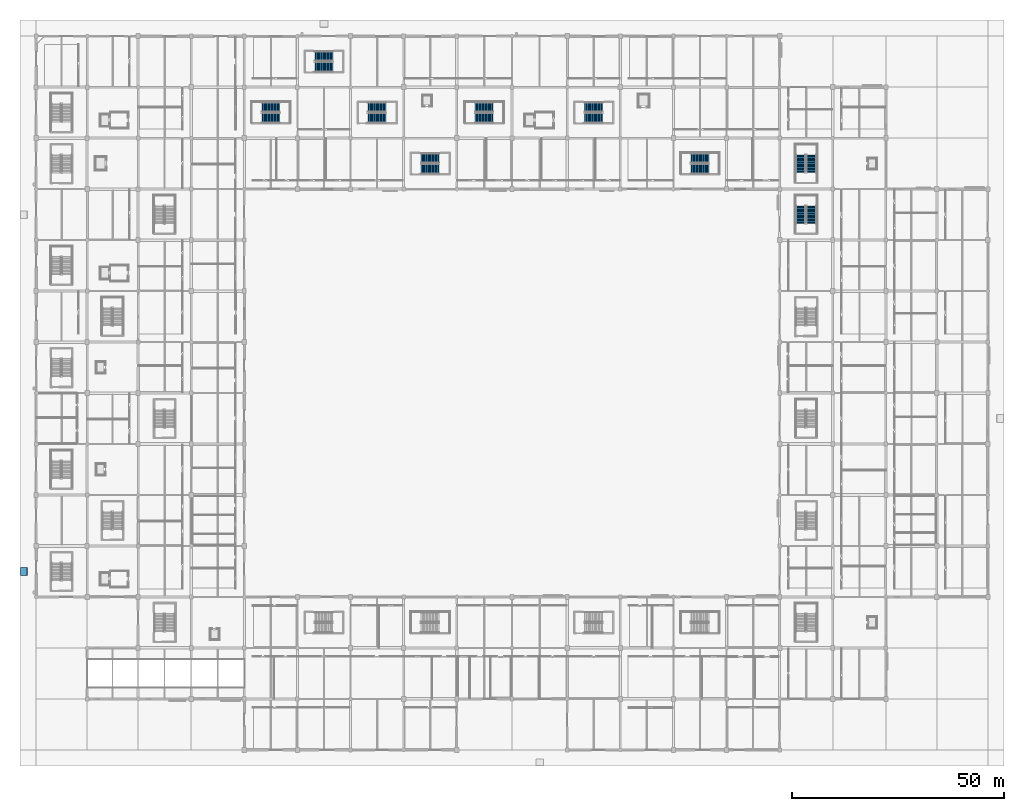
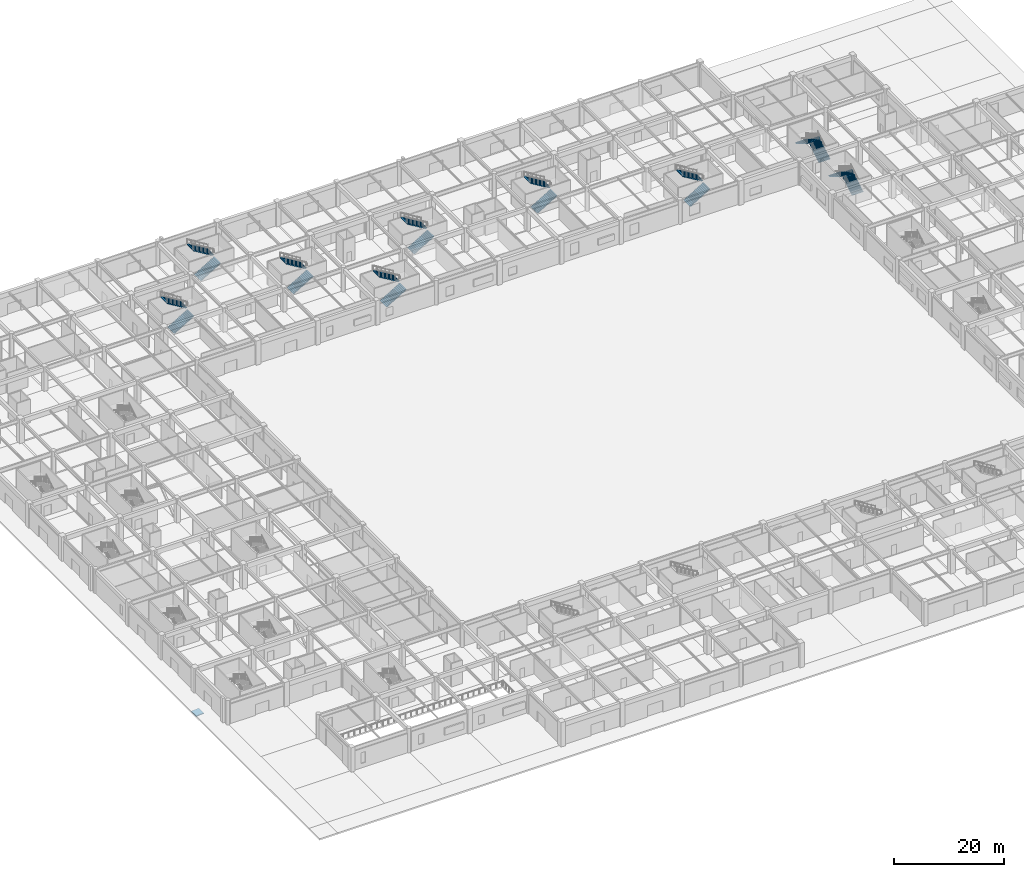
# One storey, part 37 of 69: 18 stair flights, 1 ramp flight, 10 elements without a shape of their own.
"""IFC4 building model written with IfcOpenShell, lengths in metres."""

from ifc_helpers import new_model, si_unit, direction, frame, origin, place, context, subcontext, project, spatial, polyline, outline, extrude, material, layer, layer_set, type_object, element, aggregate, save


model = new_model("IFC4")

# Units and contexts
model_context = context("Model", 3, precision=1e-05, world=origin(), true_north=direction((0.0, 1.0)))
body_context = subcontext(model_context, "Body", "Model", "MODEL_VIEW")
ifc_project = project(units=[si_unit("LENGTHUNIT", "METRE"), si_unit("AREAUNIT", "SQUARE_METRE"), si_unit("VOLUMEUNIT", "CUBIC_METRE"), si_unit("PLANEANGLEUNIT", "RADIAN"), si_unit("MASSUNIT", "GRAM", prefix="KILO")], contexts=[model_context])

# Site, building, storey
site_placement = place(None, origin())
site = spatial("IfcSite", under=ifc_project, at=site_placement, CompositionType="ELEMENT")
building_placement = place(site_placement, origin())
building = spatial("IfcBuilding", under=site, at=building_placement, Name="Kazenohara Klinker Stadium", CompositionType="ELEMENT")
storey_placement = place(building_placement, origin())
storey = spatial("IfcBuildingStorey", under=building, at=storey_placement, Name="L00", CompositionType="ELEMENT", Elevation=0.0)

# Stair, stair flights
ifc_material = material(Name="Concrete C40/50", Category="concrete")
stair_type_1 = type_object("IfcStairType", Name="STR-DL-2300", PredefinedType="HALF_TURN_STAIR", material=ifc_material)
stair_1_placement = place(storey_placement, origin())
stair_1 = element("IfcStair", 1, at=stair_1_placement, inside=storey, type_object=stair_type_1, Name="L00 Enclosed escape stair ST09", PredefinedType="HALF_TURN_STAIR")
stair_flight_type_1 = type_object("IfcStairFlightType", Name="FLT-DL-2300-5400", PredefinedType="STRAIGHT", material=ifc_material)
stair_flight_1_placement = place(storey_placement, frame((78.090087890625, 148.75, 0.0), z_axis=(0.0, 0.0, 1.0), x_axis=(1.0, 0.0, 0.0)))
stair_flight_1 = element("IfcStairFlight", 2, at=stair_flight_1_placement, type_object=stair_flight_type_1, Name="ST09 flight 1", NumberOfRisers=16, NumberOfTreads=15, PredefinedType="STRAIGHT", RiserHeight=0.16875, TreadLength=0.28, context=body_context, shape_type="SweptSolid", body=[
    extrude(outline(polyline([(0.0, 0.0), (0.0, 0.168701171875), (0.280029296875, 0.168701171875), (0.280029296875, 0.33740234375), (0.56005859375, 0.33740234375), (0.56005859375, 0.50634765625), (0.840087890625, 0.50634765625), (0.840087890625, 0.675048828125), (1.1201171875, 0.675048828125), (1.1201171875, 0.84375), (1.39990234375, 0.84375), (1.39990234375, 1.012451171875), (1.679931640625, 1.012451171875), (1.679931640625, 1.18115234375), (1.9599609375, 1.18115234375), (1.9599609375, 1.35009765625), (2.239990234375, 1.35009765625), (2.239990234375, 1.518798828125), (2.52001953125, 1.518798828125), (2.52001953125, 1.6875), (2.800048828125, 1.6875), (2.800048828125, 1.856201171875), (3.080078125, 1.856201171875), (3.080078125, 2.02490234375), (3.360107421875, 2.02490234375), (3.360107421875, 2.19384765625), (3.639892578125, 2.19384765625), (3.639892578125, 2.362548828125), (3.919921875, 2.362548828125), (3.919921875, 2.53125), (4.199951171875, 2.53125), (4.199951171875, 2.699951171875), (4.199951171875, 2.356201171875), (0.29052734375, 0.0), (0.0, 0.0)])), frame((0.0, 1.14990234375, 0.0), z_axis=(0.0, -1.0, 0.0), x_axis=(1.0, 0.0, 0.0)), (0.0, 0.0, 1.0), 2.300048828125),
])
stair_flight_2_placement = place(storey_placement, frame((82.2900390625, 151.25, 2.699951171875), z_axis=(0.0, 0.0, 1.0), x_axis=(-1.0, 0.0, 0.0)))
stair_flight_2 = element("IfcStairFlight", 3, at=stair_flight_2_placement, type_object=stair_flight_type_1, Name="ST09 flight 2", NumberOfRisers=16, NumberOfTreads=15, PredefinedType="STRAIGHT", RiserHeight=0.16875, TreadLength=0.28, context=body_context, shape_type="SweptSolid", body=[
    extrude(outline(polyline([(0.0, 0.0), (0.0, 0.168701171875), (0.280029296875, 0.168701171875), (0.280029296875, 0.33740234375), (0.56005859375, 0.33740234375), (0.56005859375, 0.50634765625), (0.840087890625, 0.50634765625), (0.840087890625, 0.675048828125), (1.1201171875, 0.675048828125), (1.1201171875, 0.84375), (1.39990234375, 0.84375), (1.39990234375, 1.012451171875), (1.679931640625, 1.012451171875), (1.679931640625, 1.18115234375), (1.9599609375, 1.18115234375), (1.9599609375, 1.35009765625), (2.239990234375, 1.35009765625), (2.239990234375, 1.518798828125), (2.52001953125, 1.518798828125), (2.52001953125, 1.6875), (2.800048828125, 1.6875), (2.800048828125, 1.856201171875), (3.080078125, 1.856201171875), (3.080078125, 2.02490234375), (3.360107421875, 2.02490234375), (3.360107421875, 2.19384765625), (3.639892578125, 2.19384765625), (3.639892578125, 2.362548828125), (3.919921875, 2.362548828125), (3.919921875, 2.53125), (4.199951171875, 2.53125), (4.199951171875, 2.699951171875), (4.199951171875, 2.356201171875), (0.29052734375, 0.0), (0.0, 0.0)])), frame((0.0, 1.14990234375, 0.0), z_axis=(0.0, -1.0, 0.0), x_axis=(1.0, 0.0, 0.0)), (0.0, 0.0, 1.0), 2.300048828125),
])
aggregate(stair_1, [stair_flight_1, stair_flight_2])

stair_type_2 = type_object("IfcStairType", Name="STR-DL-2310", PredefinedType="HALF_TURN_STAIR", material=ifc_material)
stair_2_placement = place(storey_placement, origin())
stair_2 = element("IfcStair", 4, at=stair_2_placement, inside=storey, type_object=stair_type_2, Name="L00 Enclosed escape stair ST10", PredefinedType="HALF_TURN_STAIR")
stair_flight_type_2 = type_object("IfcStairFlightType", Name="FLT-DL-2310-5400", PredefinedType="STRAIGHT", material=ifc_material)
stair_flight_3_placement = place(storey_placement, frame((103.35009765625, 148.7451171875, 0.0), z_axis=(0.0, 0.0, 1.0), x_axis=(1.0, 0.0, 0.0)))
stair_flight_3 = element("IfcStairFlight", 5, at=stair_flight_3_placement, type_object=stair_flight_type_2, Name="ST10 flight 1", NumberOfRisers=16, NumberOfTreads=15, PredefinedType="STRAIGHT", RiserHeight=0.16875, TreadLength=0.28, context=body_context, shape_type="SweptSolid", body=[
    extrude(outline(polyline([(0.0, 0.0), (0.0, 0.168701171875), (0.280029296875, 0.168701171875), (0.280029296875, 0.33740234375), (0.56005859375, 0.33740234375), (0.56005859375, 0.50634765625), (0.840087890625, 0.50634765625), (0.840087890625, 0.675048828125), (1.1201171875, 0.675048828125), (1.1201171875, 0.84375), (1.39990234375, 0.84375), (1.39990234375, 1.012451171875), (1.679931640625, 1.012451171875), (1.679931640625, 1.18115234375), (1.9599609375, 1.18115234375), (1.9599609375, 1.35009765625), (2.239990234375, 1.35009765625), (2.239990234375, 1.518798828125), (2.52001953125, 1.518798828125), (2.52001953125, 1.6875), (2.800048828125, 1.6875), (2.800048828125, 1.856201171875), (3.080078125, 1.856201171875), (3.080078125, 2.02490234375), (3.360107421875, 2.02490234375), (3.360107421875, 2.19384765625), (3.639892578125, 2.19384765625), (3.639892578125, 2.362548828125), (3.919921875, 2.362548828125), (3.919921875, 2.53125), (4.199951171875, 2.53125), (4.199951171875, 2.699951171875), (4.199951171875, 2.356201171875), (0.29052734375, 0.0), (0.0, 0.0)])), frame((0.0, 1.155029296875, 0.0), z_axis=(0.0, -1.0, 0.0), x_axis=(1.0, 0.0, 0.0)), (0.0, 0.0, 1.0), 2.31005859375),
])
stair_flight_4_placement = place(storey_placement, frame((107.550048828125, 151.2548828125, 2.699951171875), z_axis=(0.0, 0.0, 1.0), x_axis=(-1.0, 0.0, 0.0)))
stair_flight_4 = element("IfcStairFlight", 6, at=stair_flight_4_placement, type_object=stair_flight_type_2, Name="ST10 flight 2", NumberOfRisers=16, NumberOfTreads=15, PredefinedType="STRAIGHT", RiserHeight=0.16875, TreadLength=0.28, context=body_context, shape_type="SweptSolid", body=[
    extrude(outline(polyline([(0.0, 0.0), (0.0, 0.168701171875), (0.280029296875, 0.168701171875), (0.280029296875, 0.33740234375), (0.56005859375, 0.33740234375), (0.56005859375, 0.50634765625), (0.840087890625, 0.50634765625), (0.840087890625, 0.675048828125), (1.1201171875, 0.675048828125), (1.1201171875, 0.84375), (1.39990234375, 0.84375), (1.39990234375, 1.012451171875), (1.679931640625, 1.012451171875), (1.679931640625, 1.18115234375), (1.9599609375, 1.18115234375), (1.9599609375, 1.35009765625), (2.239990234375, 1.35009765625), (2.239990234375, 1.518798828125), (2.52001953125, 1.518798828125), (2.52001953125, 1.6875), (2.800048828125, 1.6875), (2.800048828125, 1.856201171875), (3.080078125, 1.856201171875), (3.080078125, 2.02490234375), (3.360107421875, 2.02490234375), (3.360107421875, 2.19384765625), (3.639892578125, 2.19384765625), (3.639892578125, 2.362548828125), (3.919921875, 2.362548828125), (3.919921875, 2.53125), (4.199951171875, 2.53125), (4.199951171875, 2.699951171875), (4.199951171875, 2.356201171875), (0.29052734375, 0.0), (0.0, 0.0)])), frame((0.0, 1.155029296875, 0.0), z_axis=(0.0, -1.0, 0.0), x_axis=(1.0, 0.0, 0.0)), (0.0, 0.0, 1.0), 2.31005859375),
])
aggregate(stair_2, [stair_flight_3, stair_flight_4])

stair_type_3 = type_object("IfcStairType", Name="STR-DL-2330", PredefinedType="HALF_TURN_STAIR", material=ifc_material)
stair_3_placement = place(storey_placement, origin())
stair_3 = element("IfcStair", 7, at=stair_3_placement, inside=storey, type_object=stair_type_3, Name="L00 Enclosed escape stair ST11", PredefinedType="HALF_TURN_STAIR")
stair_flight_type_3 = type_object("IfcStairFlightType", Name="FLT-DL-2330-5400", PredefinedType="STRAIGHT", material=ifc_material)
stair_flight_5_placement = place(storey_placement, frame((129.1201171875, 148.735107421875, 0.0), z_axis=(0.0, 0.0, 1.0), x_axis=(1.0, 0.0, 0.0)))
stair_flight_5 = element("IfcStairFlight", 8, at=stair_flight_5_placement, type_object=stair_flight_type_3, Name="ST11 flight 1", NumberOfRisers=16, NumberOfTreads=15, PredefinedType="STRAIGHT", RiserHeight=0.16875, TreadLength=0.28, context=body_context, shape_type="SweptSolid", body=[
    extrude(outline(polyline([(0.0, 0.0), (0.0, 0.168701171875), (0.280029296875, 0.168701171875), (0.280029296875, 0.33740234375), (0.56005859375, 0.33740234375), (0.56005859375, 0.50634765625), (0.840087890625, 0.50634765625), (0.840087890625, 0.675048828125), (1.1201171875, 0.675048828125), (1.1201171875, 0.84375), (1.39990234375, 0.84375), (1.39990234375, 1.012451171875), (1.679931640625, 1.012451171875), (1.679931640625, 1.18115234375), (1.9599609375, 1.18115234375), (1.9599609375, 1.35009765625), (2.239990234375, 1.35009765625), (2.239990234375, 1.518798828125), (2.52001953125, 1.518798828125), (2.52001953125, 1.6875), (2.800048828125, 1.6875), (2.800048828125, 1.856201171875), (3.080078125, 1.856201171875), (3.080078125, 2.02490234375), (3.360107421875, 2.02490234375), (3.360107421875, 2.19384765625), (3.639892578125, 2.19384765625), (3.639892578125, 2.362548828125), (3.919921875, 2.362548828125), (3.919921875, 2.53125), (4.199951171875, 2.53125), (4.199951171875, 2.699951171875), (4.199951171875, 2.356201171875), (0.29052734375, 0.0), (0.0, 0.0)])), frame((0.0, 1.1650390625, 0.0), z_axis=(0.0, -1.0, 0.0), x_axis=(1.0, 0.0, 0.0)), (0.0, 0.0, 1.0), 2.330078125),
])
stair_flight_6_placement = place(storey_placement, frame((133.320068359375, 151.264892578125, 2.699951171875), z_axis=(0.0, 0.0, 1.0), x_axis=(-1.0, 0.0, 0.0)))
stair_flight_6 = element("IfcStairFlight", 9, at=stair_flight_6_placement, type_object=stair_flight_type_3, Name="ST11 flight 2", NumberOfRisers=16, NumberOfTreads=15, PredefinedType="STRAIGHT", RiserHeight=0.16875, TreadLength=0.28, context=body_context, shape_type="SweptSolid", body=[
    extrude(outline(polyline([(0.0, 0.0), (0.0, 0.168701171875), (0.280029296875, 0.168701171875), (0.280029296875, 0.33740234375), (0.56005859375, 0.33740234375), (0.56005859375, 0.50634765625), (0.840087890625, 0.50634765625), (0.840087890625, 0.675048828125), (1.1201171875, 0.675048828125), (1.1201171875, 0.84375), (1.39990234375, 0.84375), (1.39990234375, 1.012451171875), (1.679931640625, 1.012451171875), (1.679931640625, 1.18115234375), (1.9599609375, 1.18115234375), (1.9599609375, 1.35009765625), (2.239990234375, 1.35009765625), (2.239990234375, 1.518798828125), (2.52001953125, 1.518798828125), (2.52001953125, 1.6875), (2.800048828125, 1.6875), (2.800048828125, 1.856201171875), (3.080078125, 1.856201171875), (3.080078125, 2.02490234375), (3.360107421875, 2.02490234375), (3.360107421875, 2.19384765625), (3.639892578125, 2.19384765625), (3.639892578125, 2.362548828125), (3.919921875, 2.362548828125), (3.919921875, 2.53125), (4.199951171875, 2.53125), (4.199951171875, 2.699951171875), (4.199951171875, 2.356201171875), (0.29052734375, 0.0), (0.0, 0.0)])), frame((0.0, 1.1650390625, 0.0), z_axis=(0.0, -1.0, 0.0), x_axis=(1.0, 0.0, 0.0)), (0.0, 0.0, 1.0), 2.330078125),
])
aggregate(stair_3, [stair_flight_5, stair_flight_6])

stair_4_placement = place(storey_placement, origin())
stair_4 = element("IfcStair", 10, at=stair_4_placement, inside=storey, type_object=stair_type_3, Name="L00 Enclosed escape stair ST15", PredefinedType="HALF_TURN_STAIR")
stair_flight_7_placement = place(storey_placement, frame((65.6201171875, 160.735107421875, 0.0), z_axis=(0.0, 0.0, 1.0), x_axis=(1.0, 0.0, 0.0)))
stair_flight_7 = element("IfcStairFlight", 11, at=stair_flight_7_placement, type_object=stair_flight_type_3, Name="ST15 flight 1", NumberOfRisers=16, NumberOfTreads=15, PredefinedType="STRAIGHT", RiserHeight=0.16875, TreadLength=0.28, context=body_context, shape_type="SweptSolid", body=[
    extrude(outline(polyline([(0.0, 0.0), (0.0, 0.168701171875), (0.280029296875, 0.168701171875), (0.280029296875, 0.33740234375), (0.56005859375, 0.33740234375), (0.56005859375, 0.50634765625), (0.840087890625, 0.50634765625), (0.840087890625, 0.675048828125), (1.1201171875, 0.675048828125), (1.1201171875, 0.84375), (1.39990234375, 0.84375), (1.39990234375, 1.012451171875), (1.679931640625, 1.012451171875), (1.679931640625, 1.18115234375), (1.9599609375, 1.18115234375), (1.9599609375, 1.35009765625), (2.239990234375, 1.35009765625), (2.239990234375, 1.518798828125), (2.52001953125, 1.518798828125), (2.52001953125, 1.6875), (2.800048828125, 1.6875), (2.800048828125, 1.856201171875), (3.080078125, 1.856201171875), (3.080078125, 2.02490234375), (3.360107421875, 2.02490234375), (3.360107421875, 2.19384765625), (3.639892578125, 2.19384765625), (3.639892578125, 2.362548828125), (3.919921875, 2.362548828125), (3.919921875, 2.53125), (4.199951171875, 2.53125), (4.199951171875, 2.699951171875), (4.199951171875, 2.356201171875), (0.29052734375, 0.0), (0.0, 0.0)])), frame((0.0, 1.1650390625, 0.0), z_axis=(0.0, -1.0, 0.0), x_axis=(1.0, 0.0, 0.0)), (0.0, 0.0, 1.0), 2.330078125),
])
stair_flight_8_placement = place(storey_placement, frame((69.820068359375, 163.264892578125, 2.699951171875), z_axis=(0.0, 0.0, 1.0), x_axis=(-1.0, 0.0, 0.0)))
stair_flight_8 = element("IfcStairFlight", 12, at=stair_flight_8_placement, type_object=stair_flight_type_3, Name="ST15 flight 2", NumberOfRisers=16, NumberOfTreads=15, PredefinedType="STRAIGHT", RiserHeight=0.16875, TreadLength=0.28, context=body_context, shape_type="SweptSolid", body=[
    extrude(outline(polyline([(0.0, 0.0), (0.0, 0.168701171875), (0.280029296875, 0.168701171875), (0.280029296875, 0.33740234375), (0.56005859375, 0.33740234375), (0.56005859375, 0.50634765625), (0.840087890625, 0.50634765625), (0.840087890625, 0.675048828125), (1.1201171875, 0.675048828125), (1.1201171875, 0.84375), (1.39990234375, 0.84375), (1.39990234375, 1.012451171875), (1.679931640625, 1.012451171875), (1.679931640625, 1.18115234375), (1.9599609375, 1.18115234375), (1.9599609375, 1.35009765625), (2.239990234375, 1.35009765625), (2.239990234375, 1.518798828125), (2.52001953125, 1.518798828125), (2.52001953125, 1.6875), (2.800048828125, 1.6875), (2.800048828125, 1.856201171875), (3.080078125, 1.856201171875), (3.080078125, 2.02490234375), (3.360107421875, 2.02490234375), (3.360107421875, 2.19384765625), (3.639892578125, 2.19384765625), (3.639892578125, 2.362548828125), (3.919921875, 2.362548828125), (3.919921875, 2.53125), (4.199951171875, 2.53125), (4.199951171875, 2.699951171875), (4.199951171875, 2.356201171875), (0.29052734375, 0.0), (0.0, 0.0)])), frame((0.0, 1.1650390625, 0.0), z_axis=(0.0, -1.0, 0.0), x_axis=(1.0, 0.0, 0.0)), (0.0, 0.0, 1.0), 2.330078125),
])
aggregate(stair_4, [stair_flight_7, stair_flight_8])

stair_5_placement = place(storey_placement, origin())
stair_5 = element("IfcStair", 13, at=stair_5_placement, inside=storey, type_object=stair_type_3, Name="L00 Enclosed escape stair ST19", PredefinedType="HALF_TURN_STAIR")
stair_flight_9_placement = place(storey_placement, frame((90.6201171875, 136.735107421875, 0.0), z_axis=(0.0, 0.0, 1.0), x_axis=(1.0, 0.0, 0.0)))
stair_flight_9 = element("IfcStairFlight", 14, at=stair_flight_9_placement, type_object=stair_flight_type_3, Name="ST19 flight 1", NumberOfRisers=16, NumberOfTreads=15, PredefinedType="STRAIGHT", RiserHeight=0.16875, TreadLength=0.28, context=body_context, shape_type="SweptSolid", body=[
    extrude(outline(polyline([(0.0, 0.0), (0.0, 0.168701171875), (0.280029296875, 0.168701171875), (0.280029296875, 0.33740234375), (0.56005859375, 0.33740234375), (0.56005859375, 0.50634765625), (0.840087890625, 0.50634765625), (0.840087890625, 0.675048828125), (1.1201171875, 0.675048828125), (1.1201171875, 0.84375), (1.39990234375, 0.84375), (1.39990234375, 1.012451171875), (1.679931640625, 1.012451171875), (1.679931640625, 1.18115234375), (1.9599609375, 1.18115234375), (1.9599609375, 1.35009765625), (2.239990234375, 1.35009765625), (2.239990234375, 1.518798828125), (2.52001953125, 1.518798828125), (2.52001953125, 1.6875), (2.800048828125, 1.6875), (2.800048828125, 1.856201171875), (3.080078125, 1.856201171875), (3.080078125, 2.02490234375), (3.360107421875, 2.02490234375), (3.360107421875, 2.19384765625), (3.639892578125, 2.19384765625), (3.639892578125, 2.362548828125), (3.919921875, 2.362548828125), (3.919921875, 2.53125), (4.199951171875, 2.53125), (4.199951171875, 2.699951171875), (4.199951171875, 2.356201171875), (0.29052734375, 0.0), (0.0, 0.0)])), frame((0.0, 1.1650390625, 0.0), z_axis=(0.0, -1.0, 0.0), x_axis=(1.0, 0.0, 0.0)), (0.0, 0.0, 1.0), 2.330078125),
])
stair_flight_10_placement = place(storey_placement, frame((94.820068359375, 139.264892578125, 2.699951171875), z_axis=(0.0, 0.0, 1.0), x_axis=(-1.0, 0.0, 0.0)))
stair_flight_10 = element("IfcStairFlight", 15, at=stair_flight_10_placement, type_object=stair_flight_type_3, Name="ST19 flight 2", NumberOfRisers=16, NumberOfTreads=15, PredefinedType="STRAIGHT", RiserHeight=0.16875, TreadLength=0.28, context=body_context, shape_type="SweptSolid", body=[
    extrude(outline(polyline([(0.0, 0.0), (0.0, 0.168701171875), (0.280029296875, 0.168701171875), (0.280029296875, 0.33740234375), (0.56005859375, 0.33740234375), (0.56005859375, 0.50634765625), (0.840087890625, 0.50634765625), (0.840087890625, 0.675048828125), (1.1201171875, 0.675048828125), (1.1201171875, 0.84375), (1.39990234375, 0.84375), (1.39990234375, 1.012451171875), (1.679931640625, 1.012451171875), (1.679931640625, 1.18115234375), (1.9599609375, 1.18115234375), (1.9599609375, 1.35009765625), (2.239990234375, 1.35009765625), (2.239990234375, 1.518798828125), (2.52001953125, 1.518798828125), (2.52001953125, 1.6875), (2.800048828125, 1.6875), (2.800048828125, 1.856201171875), (3.080078125, 1.856201171875), (3.080078125, 2.02490234375), (3.360107421875, 2.02490234375), (3.360107421875, 2.19384765625), (3.639892578125, 2.19384765625), (3.639892578125, 2.362548828125), (3.919921875, 2.362548828125), (3.919921875, 2.53125), (4.199951171875, 2.53125), (4.199951171875, 2.699951171875), (4.199951171875, 2.356201171875), (0.29052734375, 0.0), (0.0, 0.0)])), frame((0.0, 1.1650390625, 0.0), z_axis=(0.0, -1.0, 0.0), x_axis=(1.0, 0.0, 0.0)), (0.0, 0.0, 1.0), 2.330078125),
])
aggregate(stair_5, [stair_flight_9, stair_flight_10])

stair_type_4 = type_object("IfcStairType", Name="STR-DL-2340", PredefinedType="HALF_TURN_STAIR", material=ifc_material)
stair_6_placement = place(storey_placement, origin())
stair_6 = element("IfcStair", 16, at=stair_6_placement, inside=storey, type_object=stair_type_4, Name="L00 Enclosed escape stair ST08", PredefinedType="HALF_TURN_STAIR")
stair_flight_type_4 = type_object("IfcStairFlightType", Name="FLT-DL-2340-5400", PredefinedType="STRAIGHT", material=ifc_material)
stair_flight_11_placement = place(storey_placement, frame((53.1298828125, 148.72998046875, 0.0), z_axis=(0.0, 0.0, 1.0), x_axis=(1.0, 0.0, 0.0)))
stair_flight_11 = element("IfcStairFlight", 17, at=stair_flight_11_placement, type_object=stair_flight_type_4, Name="ST08 flight 1", NumberOfRisers=16, NumberOfTreads=15, PredefinedType="STRAIGHT", RiserHeight=0.16875, TreadLength=0.28, context=body_context, shape_type="SweptSolid", body=[
    extrude(outline(polyline([(0.0, 0.0), (0.0, 0.168701171875), (0.280029296875, 0.168701171875), (0.280029296875, 0.33740234375), (0.56005859375, 0.33740234375), (0.56005859375, 0.50634765625), (0.840087890625, 0.50634765625), (0.840087890625, 0.675048828125), (1.1201171875, 0.675048828125), (1.1201171875, 0.84375), (1.39990234375, 0.84375), (1.39990234375, 1.012451171875), (1.679931640625, 1.012451171875), (1.679931640625, 1.18115234375), (1.9599609375, 1.18115234375), (1.9599609375, 1.35009765625), (2.239990234375, 1.35009765625), (2.239990234375, 1.518798828125), (2.52001953125, 1.518798828125), (2.52001953125, 1.6875), (2.800048828125, 1.6875), (2.800048828125, 1.856201171875), (3.080078125, 1.856201171875), (3.080078125, 2.02490234375), (3.360107421875, 2.02490234375), (3.360107421875, 2.19384765625), (3.639892578125, 2.19384765625), (3.639892578125, 2.362548828125), (3.919921875, 2.362548828125), (3.919921875, 2.53125), (4.199951171875, 2.53125), (4.199951171875, 2.699951171875), (4.199951171875, 2.356201171875), (0.29052734375, 0.0), (0.0, 0.0)])), frame((0.0, 1.169921875, 0.0), z_axis=(0.0, -1.0, 0.0), x_axis=(1.0, 0.0, 0.0)), (0.0, 0.0, 1.0), 2.340087890625),
])
stair_flight_12_placement = place(storey_placement, frame((57.330078125, 151.27001953125, 2.699951171875), z_axis=(0.0, 0.0, 1.0), x_axis=(-1.0, 0.0, 0.0)))
stair_flight_12 = element("IfcStairFlight", 18, at=stair_flight_12_placement, type_object=stair_flight_type_4, Name="ST08 flight 2", NumberOfRisers=16, NumberOfTreads=15, PredefinedType="STRAIGHT", RiserHeight=0.16875, TreadLength=0.28, context=body_context, shape_type="SweptSolid", body=[
    extrude(outline(polyline([(0.0, 0.0), (0.0, 0.168701171875), (0.280029296875, 0.168701171875), (0.280029296875, 0.33740234375), (0.56005859375, 0.33740234375), (0.56005859375, 0.50634765625), (0.840087890625, 0.50634765625), (0.840087890625, 0.675048828125), (1.1201171875, 0.675048828125), (1.1201171875, 0.84375), (1.39990234375, 0.84375), (1.39990234375, 1.012451171875), (1.679931640625, 1.012451171875), (1.679931640625, 1.18115234375), (1.9599609375, 1.18115234375), (1.9599609375, 1.35009765625), (2.239990234375, 1.35009765625), (2.239990234375, 1.518798828125), (2.52001953125, 1.518798828125), (2.52001953125, 1.6875), (2.800048828125, 1.6875), (2.800048828125, 1.856201171875), (3.080078125, 1.856201171875), (3.080078125, 2.02490234375), (3.360107421875, 2.02490234375), (3.360107421875, 2.19384765625), (3.639892578125, 2.19384765625), (3.639892578125, 2.362548828125), (3.919921875, 2.362548828125), (3.919921875, 2.53125), (4.199951171875, 2.53125), (4.199951171875, 2.699951171875), (4.199951171875, 2.356201171875), (0.29052734375, 0.0), (0.0, 0.0)])), frame((0.0, 1.169921875, 0.0), z_axis=(0.0, -1.0, 0.0), x_axis=(1.0, 0.0, 0.0)), (0.0, 0.0, 1.0), 2.340087890625),
])
aggregate(stair_6, [stair_flight_11, stair_flight_12])

stair_7_placement = place(storey_placement, origin())
stair_7 = element("IfcStair", 19, at=stair_7_placement, inside=storey, type_object=stair_type_4, Name="L00 Enclosed escape stair ST12", PredefinedType="HALF_TURN_STAIR")
stair_flight_13_placement = place(storey_placement, frame((182.52001953125, 135.8798828125, 0.0), z_axis=(0.0, 0.0, 1.0), x_axis=(0.0, 1.0, 0.0)))
stair_flight_13 = element("IfcStairFlight", 20, at=stair_flight_13_placement, type_object=stair_flight_type_4, Name="ST12 flight 1", NumberOfRisers=16, NumberOfTreads=15, PredefinedType="STRAIGHT", RiserHeight=0.16875, TreadLength=0.28, context=body_context, shape_type="SweptSolid", body=[
    extrude(outline(polyline([(0.0, 0.0), (0.0, 0.168701171875), (0.280029296875, 0.168701171875), (0.280029296875, 0.33740234375), (0.56005859375, 0.33740234375), (0.56005859375, 0.50634765625), (0.840087890625, 0.50634765625), (0.840087890625, 0.675048828125), (1.1201171875, 0.675048828125), (1.1201171875, 0.84375), (1.39990234375, 0.84375), (1.39990234375, 1.012451171875), (1.679931640625, 1.012451171875), (1.679931640625, 1.18115234375), (1.9599609375, 1.18115234375), (1.9599609375, 1.35009765625), (2.239990234375, 1.35009765625), (2.239990234375, 1.518798828125), (2.52001953125, 1.518798828125), (2.52001953125, 1.6875), (2.800048828125, 1.6875), (2.800048828125, 1.856201171875), (3.080078125, 1.856201171875), (3.080078125, 2.02490234375), (3.360107421875, 2.02490234375), (3.360107421875, 2.19384765625), (3.639892578125, 2.19384765625), (3.639892578125, 2.362548828125), (3.919921875, 2.362548828125), (3.919921875, 2.53125), (4.199951171875, 2.53125), (4.199951171875, 2.699951171875), (4.199951171875, 2.356201171875), (0.29052734375, 0.0), (0.0, 0.0)])), frame((0.0, 1.169921875, 0.0), z_axis=(0.0, -1.0, 0.0), x_axis=(1.0, 0.0, 0.0)), (0.0, 0.0, 1.0), 2.340087890625),
])
stair_flight_14_placement = place(storey_placement, frame((179.97998046875, 140.080078125, 2.699951171875), z_axis=(0.0, 0.0, 1.0), x_axis=(0.0, -1.0, 0.0)))
stair_flight_14 = element("IfcStairFlight", 21, at=stair_flight_14_placement, type_object=stair_flight_type_4, Name="ST12 flight 2", NumberOfRisers=16, NumberOfTreads=15, PredefinedType="STRAIGHT", RiserHeight=0.16875, TreadLength=0.28, context=body_context, shape_type="SweptSolid", body=[
    extrude(outline(polyline([(0.0, 0.0), (0.0, 0.168701171875), (0.280029296875, 0.168701171875), (0.280029296875, 0.33740234375), (0.56005859375, 0.33740234375), (0.56005859375, 0.50634765625), (0.840087890625, 0.50634765625), (0.840087890625, 0.675048828125), (1.1201171875, 0.675048828125), (1.1201171875, 0.84375), (1.39990234375, 0.84375), (1.39990234375, 1.012451171875), (1.679931640625, 1.012451171875), (1.679931640625, 1.18115234375), (1.9599609375, 1.18115234375), (1.9599609375, 1.35009765625), (2.239990234375, 1.35009765625), (2.239990234375, 1.518798828125), (2.52001953125, 1.518798828125), (2.52001953125, 1.6875), (2.800048828125, 1.6875), (2.800048828125, 1.856201171875), (3.080078125, 1.856201171875), (3.080078125, 2.02490234375), (3.360107421875, 2.02490234375), (3.360107421875, 2.19384765625), (3.639892578125, 2.19384765625), (3.639892578125, 2.362548828125), (3.919921875, 2.362548828125), (3.919921875, 2.53125), (4.199951171875, 2.53125), (4.199951171875, 2.699951171875), (4.199951171875, 2.356201171875), (0.29052734375, 0.0), (0.0, 0.0)])), frame((0.0, 1.169921875, 0.0), z_axis=(0.0, -1.0, 0.0), x_axis=(1.0, 0.0, 0.0)), (0.0, 0.0, 1.0), 2.340087890625),
])
aggregate(stair_7, [stair_flight_13, stair_flight_14])

stair_8_placement = place(storey_placement, origin())
stair_8 = element("IfcStair", 22, at=stair_8_placement, inside=storey, type_object=stair_type_4, Name="L00 Enclosed escape stair ST20", PredefinedType="HALF_TURN_STAIR")
stair_flight_15_placement = place(storey_placement, frame((154.1298828125, 136.72998046875, 0.0), z_axis=(0.0, 0.0, 1.0), x_axis=(1.0, 0.0, 0.0)))
stair_flight_15 = element("IfcStairFlight", 23, at=stair_flight_15_placement, type_object=stair_flight_type_4, Name="ST20 flight 1", NumberOfRisers=16, NumberOfTreads=15, PredefinedType="STRAIGHT", RiserHeight=0.16875, TreadLength=0.28, context=body_context, shape_type="SweptSolid", body=[
    extrude(outline(polyline([(0.0, 0.0), (0.0, 0.168701171875), (0.280029296875, 0.168701171875), (0.280029296875, 0.33740234375), (0.56005859375, 0.33740234375), (0.56005859375, 0.50634765625), (0.840087890625, 0.50634765625), (0.840087890625, 0.675048828125), (1.1201171875, 0.675048828125), (1.1201171875, 0.84375), (1.39990234375, 0.84375), (1.39990234375, 1.012451171875), (1.679931640625, 1.012451171875), (1.679931640625, 1.18115234375), (1.9599609375, 1.18115234375), (1.9599609375, 1.35009765625), (2.239990234375, 1.35009765625), (2.239990234375, 1.518798828125), (2.52001953125, 1.518798828125), (2.52001953125, 1.6875), (2.800048828125, 1.6875), (2.800048828125, 1.856201171875), (3.080078125, 1.856201171875), (3.080078125, 2.02490234375), (3.360107421875, 2.02490234375), (3.360107421875, 2.19384765625), (3.639892578125, 2.19384765625), (3.639892578125, 2.362548828125), (3.919921875, 2.362548828125), (3.919921875, 2.53125), (4.199951171875, 2.53125), (4.199951171875, 2.699951171875), (4.199951171875, 2.356201171875), (0.29052734375, 0.0), (0.0, 0.0)])), frame((0.0, 1.169921875, 0.0), z_axis=(0.0, -1.0, 0.0), x_axis=(1.0, 0.0, 0.0)), (0.0, 0.0, 1.0), 2.340087890625),
])
stair_flight_16_placement = place(storey_placement, frame((158.330078125, 139.27001953125, 2.699951171875), z_axis=(0.0, 0.0, 1.0), x_axis=(-1.0, 0.0, 0.0)))
stair_flight_16 = element("IfcStairFlight", 24, at=stair_flight_16_placement, type_object=stair_flight_type_4, Name="ST20 flight 2", NumberOfRisers=16, NumberOfTreads=15, PredefinedType="STRAIGHT", RiserHeight=0.16875, TreadLength=0.28, context=body_context, shape_type="SweptSolid", body=[
    extrude(outline(polyline([(0.0, 0.0), (0.0, 0.168701171875), (0.280029296875, 0.168701171875), (0.280029296875, 0.33740234375), (0.56005859375, 0.33740234375), (0.56005859375, 0.50634765625), (0.840087890625, 0.50634765625), (0.840087890625, 0.675048828125), (1.1201171875, 0.675048828125), (1.1201171875, 0.84375), (1.39990234375, 0.84375), (1.39990234375, 1.012451171875), (1.679931640625, 1.012451171875), (1.679931640625, 1.18115234375), (1.9599609375, 1.18115234375), (1.9599609375, 1.35009765625), (2.239990234375, 1.35009765625), (2.239990234375, 1.518798828125), (2.52001953125, 1.518798828125), (2.52001953125, 1.6875), (2.800048828125, 1.6875), (2.800048828125, 1.856201171875), (3.080078125, 1.856201171875), (3.080078125, 2.02490234375), (3.360107421875, 2.02490234375), (3.360107421875, 2.19384765625), (3.639892578125, 2.19384765625), (3.639892578125, 2.362548828125), (3.919921875, 2.362548828125), (3.919921875, 2.53125), (4.199951171875, 2.53125), (4.199951171875, 2.699951171875), (4.199951171875, 2.356201171875), (0.29052734375, 0.0), (0.0, 0.0)])), frame((0.0, 1.169921875, 0.0), z_axis=(0.0, -1.0, 0.0), x_axis=(1.0, 0.0, 0.0)), (0.0, 0.0, 1.0), 2.340087890625),
])
aggregate(stair_8, [stair_flight_15, stair_flight_16])

stair_9_placement = place(storey_placement, origin())
stair_9 = element("IfcStair", 25, at=stair_9_placement, inside=storey, type_object=stair_type_4, Name="L00 Enclosed escape stair ST24", PredefinedType="HALF_TURN_STAIR")
stair_flight_17_placement = place(storey_placement, frame((182.52001953125, 123.8798828125, 0.0), z_axis=(0.0, 0.0, 1.0), x_axis=(0.0, 1.0, 0.0)))
stair_flight_17 = element("IfcStairFlight", 26, at=stair_flight_17_placement, type_object=stair_flight_type_4, Name="ST24 flight 1", NumberOfRisers=16, NumberOfTreads=15, PredefinedType="STRAIGHT", RiserHeight=0.16875, TreadLength=0.28, context=body_context, shape_type="SweptSolid", body=[
    extrude(outline(polyline([(0.0, 0.0), (0.0, 0.168701171875), (0.280029296875, 0.168701171875), (0.280029296875, 0.33740234375), (0.56005859375, 0.33740234375), (0.56005859375, 0.50634765625), (0.840087890625, 0.50634765625), (0.840087890625, 0.675048828125), (1.1201171875, 0.675048828125), (1.1201171875, 0.84375), (1.39990234375, 0.84375), (1.39990234375, 1.012451171875), (1.679931640625, 1.012451171875), (1.679931640625, 1.18115234375), (1.9599609375, 1.18115234375), (1.9599609375, 1.35009765625), (2.239990234375, 1.35009765625), (2.239990234375, 1.518798828125), (2.52001953125, 1.518798828125), (2.52001953125, 1.6875), (2.800048828125, 1.6875), (2.800048828125, 1.856201171875), (3.080078125, 1.856201171875), (3.080078125, 2.02490234375), (3.360107421875, 2.02490234375), (3.360107421875, 2.19384765625), (3.639892578125, 2.19384765625), (3.639892578125, 2.362548828125), (3.919921875, 2.362548828125), (3.919921875, 2.53125), (4.199951171875, 2.53125), (4.199951171875, 2.699951171875), (4.199951171875, 2.356201171875), (0.29052734375, 0.0), (0.0, 0.0)])), frame((0.0, 1.169921875, 0.0), z_axis=(0.0, -1.0, 0.0), x_axis=(1.0, 0.0, 0.0)), (0.0, 0.0, 1.0), 2.340087890625),
])
stair_flight_18_placement = place(storey_placement, frame((179.97998046875, 128.080078125, 2.699951171875), z_axis=(0.0, 0.0, 1.0), x_axis=(0.0, -1.0, 0.0)))
stair_flight_18 = element("IfcStairFlight", 27, at=stair_flight_18_placement, type_object=stair_flight_type_4, Name="ST24 flight 2", NumberOfRisers=16, NumberOfTreads=15, PredefinedType="STRAIGHT", RiserHeight=0.16875, TreadLength=0.28, context=body_context, shape_type="SweptSolid", body=[
    extrude(outline(polyline([(0.0, 0.0), (0.0, 0.168701171875), (0.280029296875, 0.168701171875), (0.280029296875, 0.33740234375), (0.56005859375, 0.33740234375), (0.56005859375, 0.50634765625), (0.840087890625, 0.50634765625), (0.840087890625, 0.675048828125), (1.1201171875, 0.675048828125), (1.1201171875, 0.84375), (1.39990234375, 0.84375), (1.39990234375, 1.012451171875), (1.679931640625, 1.012451171875), (1.679931640625, 1.18115234375), (1.9599609375, 1.18115234375), (1.9599609375, 1.35009765625), (2.239990234375, 1.35009765625), (2.239990234375, 1.518798828125), (2.52001953125, 1.518798828125), (2.52001953125, 1.6875), (2.800048828125, 1.6875), (2.800048828125, 1.856201171875), (3.080078125, 1.856201171875), (3.080078125, 2.02490234375), (3.360107421875, 2.02490234375), (3.360107421875, 2.19384765625), (3.639892578125, 2.19384765625), (3.639892578125, 2.362548828125), (3.919921875, 2.362548828125), (3.919921875, 2.53125), (4.199951171875, 2.53125), (4.199951171875, 2.699951171875), (4.199951171875, 2.356201171875), (0.29052734375, 0.0), (0.0, 0.0)])), frame((0.0, 1.169921875, 0.0), z_axis=(0.0, -1.0, 0.0), x_axis=(1.0, 0.0, 0.0)), (0.0, 0.0, 1.0), 2.340087890625),
])
aggregate(stair_9, [stair_flight_17, stair_flight_18])

# Ramp, ramp flight
ramp_type = type_object("IfcRampType", Name="RMP-ACC-1800", PredefinedType="STRAIGHT_RUN_RAMP", material=ifc_material)
ramp_placement = place(storey_placement, origin())
ramp = element("IfcRamp", 28, at=ramp_placement, inside=storey, type_object=ramp_type, Name="Barrier-free plaza threshold ramp RA01-W1", PredefinedType="STRAIGHT_RUN_RAMP")
ifc_layer = layer(ifc_material, 0.179931640625)
ifc_layer_set = layer_set([ifc_layer], Name="Concrete C40/50")
ramp_flight_type = type_object("IfcRampFlightType", Name="RFL-ACC-1800", PredefinedType="STRAIGHT", material=ifc_layer_set)
ramp_flight_placement = place(storey_placement, frame((-3.699951171875, 41.10009765625, -0.10009765625), z_axis=(-0.062444659766, 0.0, 0.998048427917), x_axis=(0.998048427917, 0.0, 0.062444659766)))
ramp_flight = element("IfcRampFlight", 29, at=ramp_flight_placement, type_object=ramp_flight_type, Name="Barrier-free ramp flight RAF1-W1 (1:15 slope)", PredefinedType="STRAIGHT", context=body_context, shape_type="SweptSolid", body=[
    extrude(outline(polyline([(0.0, 0.0), (1.6029818502542115, 0.0), (1.6029818502542115, 1.7998046875), (0.0, 1.7998046875), (0.0, 0.0)])), origin(), (0.0, 0.0, -1.0), 0.179931640625),
])
aggregate(ramp, [ramp_flight])

save(model, "model.ifc")
